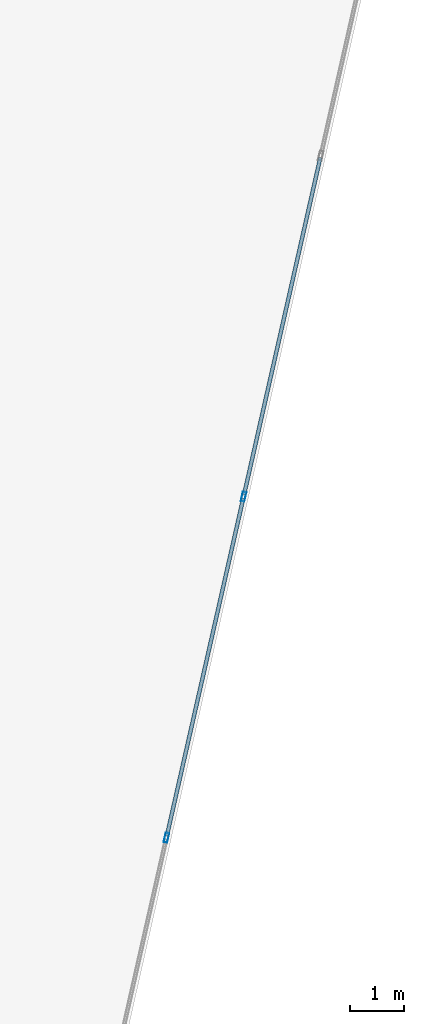
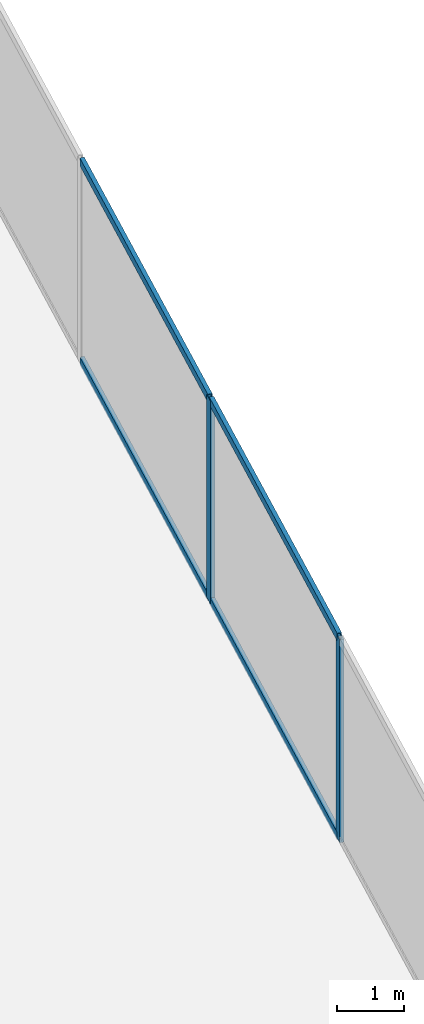
# One storey, part 13 of 26: 6 members, 1 element without a shape of its own.
"""IFC4 building model written with IfcOpenShell, lengths in metres."""

from ifc_helpers import new_model, si_unit, direction, frame, origin, origin_2d, place, context, subcontext, project, spatial, hollow_rectangle, extrude, source, transform, mapped, material, material_profile, profile_set, type_object, type_shapes, element, aggregate, save


model = new_model("IFC4")

# Units and contexts
model_context = context("Model", 3, precision=1e-05, world=origin(), true_north=direction((0.0, 1.0)))
body_context = subcontext(model_context, "Body", "Model", "MODEL_VIEW")
ifc_project = project(units=[si_unit("LENGTHUNIT", "METRE"), si_unit("AREAUNIT", "SQUARE_METRE"), si_unit("VOLUMEUNIT", "CUBIC_METRE"), si_unit("PLANEANGLEUNIT", "RADIAN"), si_unit("MASSUNIT", "GRAM", prefix="KILO")], contexts=[model_context])

# Site, building, storey
site_placement = place(None, origin())
site = spatial("IfcSite", under=ifc_project, at=site_placement, CompositionType="ELEMENT")
building_placement = place(site_placement, origin())
building = spatial("IfcBuilding", under=site, at=building_placement, Name="Krantzveldt Concourse Tower", CompositionType="ELEMENT")
storey_placement = place(building_placement, frame((0.0, 0.0, 94.0)))
storey = spatial("IfcBuildingStorey", under=building, at=storey_placement, Name="L22", CompositionType="ELEMENT", Elevation=94.0)

# Curtain wall, members
ifc_material = material(Name="Anodised aluminium 6063-T6", Category="aluminium")
curtain_wall_type = type_object("IfcCurtainWallType", Name="CW2", PredefinedType="USERDEFINED", material=ifc_material)
curtain_wall_placement = place(storey_placement, origin())
curtain_wall = element("IfcCurtainWall", 1, at=curtain_wall_placement, inside=storey, type_object=curtain_wall_type, Name="CW-L22-F07", ObjectType="UNITISED CURTAIN WALL", PredefinedType="USERDEFINED")
ifc_material_profile_1 = material_profile(ifc_material, hollow_rectangle(XDim=0.070068359375, YDim=0.179931640625, WallThickness=0.0048828125, at=origin_2d()), Name="Anodised aluminium 6063-T6", Category="aluminium")
ifc_profile_set_1 = profile_set([ifc_material_profile_1], Name="Anodised aluminium 6063-T6 - ALU-MULL 180x70x5")
member_type_1 = type_object("IfcMemberType", Name="CW-MUL-180", PredefinedType="MULLION", material=ifc_profile_set_1)
shared_shape_1 = source(origin(), body_context, "Body", "SweptSolid", [
    extrude(hollow_rectangle(XDim=0.070068359375, YDim=0.179931640625, WallThickness=0.0048828125, at=origin_2d()), origin(), (0.0, 0.0, 1.0), 3.669921875),
])
type_shapes(member_type_1, [shared_shape_1])
member_1_placement = place(storey_placement, frame((58.7353515625, 21.555419921875, 0.0), z_axis=(0.0, 0.0, 1.0), x_axis=(-0.975342320609, 0.220697434579, 0.0)))
member_1 = element("IfcMember", 2, at=member_1_placement, type_object=member_type_1, Name="CW-Z12 mullion 4", PredefinedType="MULLION", context=body_context, shape_type="MappedRepresentation", body=[
    mapped(shared_shape_1, transform((0.0, 0.0, 0.0), x_axis=(1.0, 0.0, 0.0), y_axis=(0.0, 1.0, 0.0), z_axis=(0.0, 0.0, 1.0), scale=1.0)),
])
member_2_placement = place(storey_placement, frame((60.162353515625, 27.86279296875, 0.0), z_axis=(0.0, 0.0, 1.0), x_axis=(-0.975342320609, 0.220697434579, 0.0)))
member_2 = element("IfcMember", 3, at=member_2_placement, type_object=member_type_1, Name="CW-Z12 mullion 5", PredefinedType="MULLION", context=body_context, shape_type="MappedRepresentation", body=[
    mapped(shared_shape_1, transform((0.0, 0.0, 0.0), x_axis=(1.0, 0.0, 0.0), y_axis=(0.0, 1.0, 0.0), z_axis=(0.0, 0.0, 1.0), scale=1.0)),
])
ifc_material_profile_2 = material_profile(ifc_material, hollow_rectangle(XDim=0.070068359375, YDim=0.139892578125, WallThickness=0.0048828125, at=origin_2d()), Name="Anodised aluminium 6063-T6", Category="aluminium")
ifc_profile_set_2 = profile_set([ifc_material_profile_2], Name="Anodised aluminium 6063-T6 - ALU-TRAN 140x70x5")
member_type_2 = type_object("IfcMemberType", Name="CW-TRN-150", PredefinedType="USERDEFINED", material=ifc_profile_set_2)
shared_shape_2 = source(origin(), body_context, "Body", "SweptSolid", [
    extrude(hollow_rectangle(XDim=0.070068359375, YDim=0.139892578125, WallThickness=0.0048828125, at=origin_2d()), origin(), (0.0, 0.0, 1.0), 6.396728515625),
])
member_3_placement = place(storey_placement, frame((58.742919921875, 21.589599609375, 0.034912109375), z_axis=(0.220715365874, 0.975338262998, 0.0), x_axis=(-0.975338262998, 0.220715365874, 0.0)))
member_3 = element("IfcMember", 4, at=member_3_placement, type_object=member_type_2, Name="CW-Z12 transom 4.1", ObjectType="TRANSOM", PredefinedType="USERDEFINED", context=body_context, shape_type="MappedRepresentation", body=[
    mapped(shared_shape_2, transform((0.0, 0.0, 0.0), x_axis=(1.0, 0.0, 0.0), y_axis=(0.0, 1.0, 0.0), z_axis=(0.0, 0.0, 1.0), scale=1.0)),
])
member_4_placement = place(storey_placement, frame((58.742919921875, 21.589599609375, 3.635009765625), z_axis=(0.220715365874, 0.975338262998, 0.0), x_axis=(-0.975338262998, 0.220715365874, 0.0)))
member_4 = element("IfcMember", 5, at=member_4_placement, type_object=member_type_2, Name="CW-Z12 transom 4.2", ObjectType="TRANSOM", PredefinedType="USERDEFINED", context=body_context, shape_type="MappedRepresentation", body=[
    mapped(shared_shape_2, transform((0.0, 0.0, 0.0), x_axis=(1.0, 0.0, 0.0), y_axis=(0.0, 1.0, 0.0), z_axis=(0.0, 0.0, 1.0), scale=1.0)),
])
shared_shape_3 = source(origin(), body_context, "Body", "SweptSolid", [
    extrude(hollow_rectangle(XDim=0.070068359375, YDim=0.139892578125, WallThickness=0.0048828125, at=origin_2d()), origin(), (0.0, 0.0, 1.0), 6.396484375),
])
type_shapes(member_type_2, [shared_shape_2, shared_shape_3])
member_5_placement = place(storey_placement, frame((60.170166015625, 27.89697265625, 0.034912109375), z_axis=(0.220687273667, 0.975344619733, 0.0), x_axis=(-0.975344619733, 0.220687273667, 0.0)))
member_5 = element("IfcMember", 6, at=member_5_placement, type_object=member_type_2, Name="CW-Z12 transom 5.1", ObjectType="TRANSOM", PredefinedType="USERDEFINED", context=body_context, shape_type="MappedRepresentation", body=[
    mapped(shared_shape_3, transform((0.0, 0.0, 0.0), x_axis=(1.0, 0.0, 0.0), y_axis=(0.0, 1.0, 0.0), z_axis=(0.0, 0.0, 1.0), scale=1.0)),
])
member_6_placement = place(storey_placement, frame((60.170166015625, 27.89697265625, 3.635009765625), z_axis=(0.220687273667, 0.975344619733, 0.0), x_axis=(-0.975344619733, 0.220687273667, 0.0)))
member_6 = element("IfcMember", 7, at=member_6_placement, type_object=member_type_2, Name="CW-Z12 transom 5.2", ObjectType="TRANSOM", PredefinedType="USERDEFINED", context=body_context, shape_type="MappedRepresentation", body=[
    mapped(shared_shape_3, transform((0.0, 0.0, 0.0), x_axis=(1.0, 0.0, 0.0), y_axis=(0.0, 1.0, 0.0), z_axis=(0.0, 0.0, 1.0), scale=1.0)),
])
aggregate(curtain_wall, [member_1, member_2, member_3, member_4, member_5, member_6])

save(model, "model.ifc")
